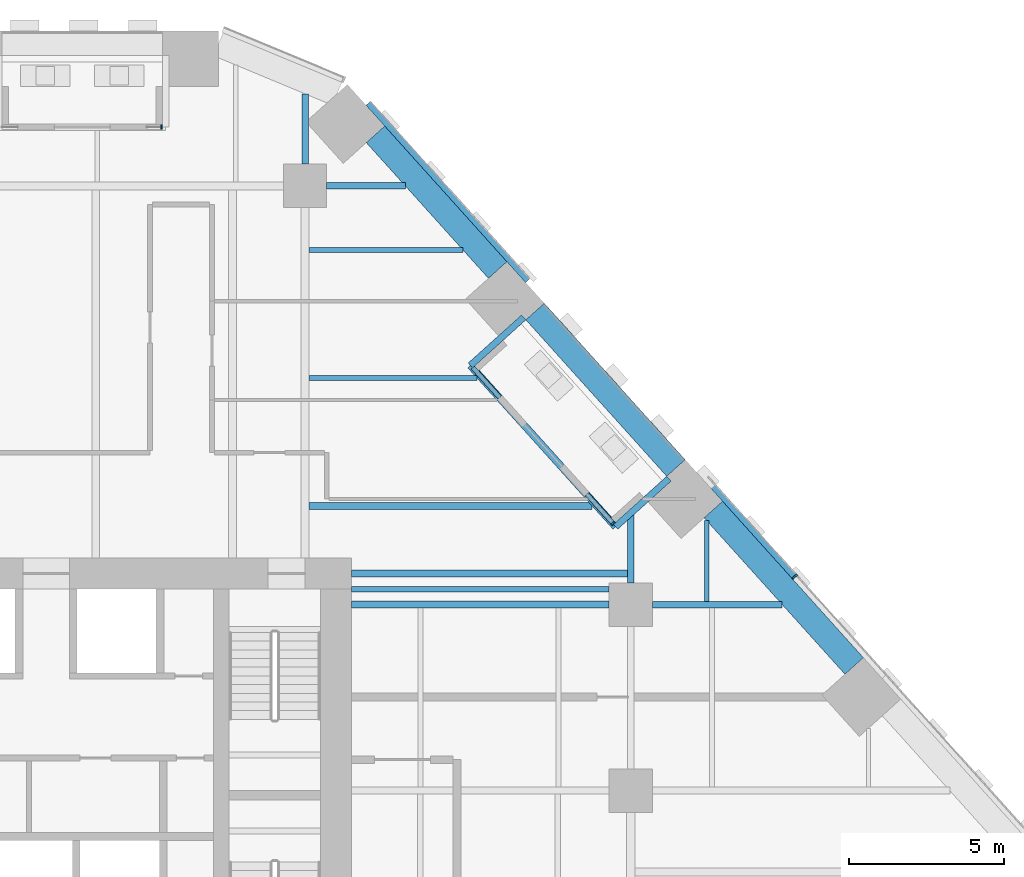
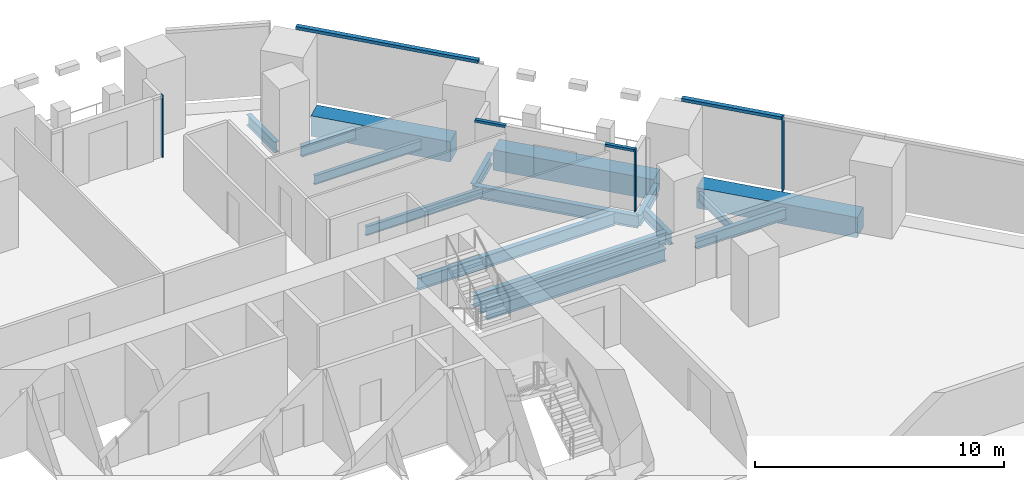
# One storey, part 11 of 31: 17 beams, 7 members, 3 elements without a shape of their own.
"""IFC4 building model written with IfcOpenShell, lengths in metres."""

from ifc_helpers import new_model, si_unit, direction, frame, origin, origin_2d, place, context, subcontext, project, spatial, rectangle, i_section, extrude, material, layer, layer_set, material_profile, profile_set, type_object, element, aggregate, save


model = new_model("IFC4")

# Units and contexts
model_context = context("Model", 3, precision=1e-05, world=origin(), true_north=direction((0.0, 1.0)))
body_context = subcontext(model_context, "Body", "Model", "MODEL_VIEW")
ifc_project = project(units=[si_unit("LENGTHUNIT", "METRE"), si_unit("AREAUNIT", "SQUARE_METRE"), si_unit("VOLUMEUNIT", "CUBIC_METRE"), si_unit("PLANEANGLEUNIT", "RADIAN"), si_unit("MASSUNIT", "GRAM", prefix="KILO")], contexts=[model_context])

# Site, building, storey
site_placement = place(None, origin())
site = spatial("IfcSite", under=ifc_project, at=site_placement, CompositionType="ELEMENT")
building_placement = place(site_placement, origin())
building = spatial("IfcBuilding", under=site, at=building_placement, Name="Isthmus Gate Tower", CompositionType="ELEMENT")
storey_placement = place(building_placement, frame((0.0, 0.0, 39.64990234375)))
storey = spatial("IfcBuildingStorey", under=building, at=storey_placement, Name="L07", CompositionType="ELEMENT", Elevation=39.64990234375)

# Curtain wall, members
ifc_material_1 = material(Name="Aluminium, pale champagne anodised", Category="aluminium")
ifc_layer_1 = layer(ifc_material_1, 0.199951171875)
ifc_layer_set_1 = layer_set([ifc_layer_1], Name="CW-1 UNITISED CURTAIN WALL 200 DEEP")
curtain_wall_type_1 = type_object("IfcCurtainWallType", Name="CW-1 UNITISED CURTAIN WALL 200 DEEP", PredefinedType="NOTDEFINED", material=ifc_layer_set_1)
curtain_wall_1_placement = place(storey_placement, origin())
curtain_wall_1 = element("IfcCurtainWall", 1, at=curtain_wall_1_placement, inside=storey, type_object=curtain_wall_type_1, Name="CW-1 NE L07", PredefinedType="NOTDEFINED")
ifc_material_2 = material(Name="Aluminium, pale champagne anodised", Category="aluminium")
ifc_material_profile_1 = material_profile(ifc_material_2, rectangle(XDim=0.06005859375, YDim=0.199951171875, at=origin_2d()), Name="60x200")
ifc_profile_set_1 = profile_set([ifc_material_profile_1], Name="Aluminium, pale champagne anodised")
member_type_1 = type_object("IfcMemberType", Name="CW-1 MULLION 60 X 200", PredefinedType="MULLION", material=ifc_profile_set_1)
member_1_placement = place(storey_placement, frame((29.287841796875, 14.400146484375, 0.0), z_axis=(0.0, 0.0, 1.0), x_axis=(-0.669130606359, 0.743144825477, 0.0)))
member_1 = element("IfcMember", 2, at=member_1_placement, type_object=member_type_1, Name="CW-1 mullion", PredefinedType="MULLION", context=body_context, shape_type="SweptSolid", body=[
    extrude(rectangle(XDim=0.06005859375, YDim=0.199951171875, at=origin_2d()), origin(), (0.0, 0.0, 1.0), 3.650146484375),
])
ifc_material_3 = material(Name="Aluminium, pale champagne anodised", Category="aluminium")
ifc_material_profile_2 = material_profile(ifc_material_3, rectangle(XDim=0.199951171875, YDim=0.14990234375, at=origin_2d()), Name="200x150")
ifc_profile_set_2 = profile_set([ifc_material_profile_2], Name="Aluminium, pale champagne anodised")
member_type_2 = type_object("IfcMemberType", Name="CW-1 TRANSOM 200 X 150", PredefinedType="USERDEFINED", material=ifc_profile_set_2)
member_2_placement = place(storey_placement, frame((29.267822265625, 14.422607421875, 3.5751953125), z_axis=(-0.669123979474, 0.743150792298, 0.0), x_axis=(-0.743150792298, -0.669123979474, 0.0)))
member_2 = element("IfcMember", 3, at=member_2_placement, type_object=member_type_2, Name="CW-1 transom", ObjectType="TRANSOM", PredefinedType="USERDEFINED", context=body_context, shape_type="SweptSolid", body=[
    extrude(rectangle(XDim=0.199951171875, YDim=0.14990234375, at=origin_2d()), origin(), (0.0, 0.0, 1.0), 4.234619140625),
])
member_3_placement = place(storey_placement, frame((20.686767578125, 23.95263671875, 3.5751953125), z_axis=(-0.669115577823, 0.743158356957, 0.0), x_axis=(-0.743158356957, -0.669115577823, 0.0)))
member_3 = element("IfcMember", 4, at=member_3_placement, type_object=member_type_2, Name="CW-1 transom", ObjectType="TRANSOM", PredefinedType="USERDEFINED", context=body_context, shape_type="SweptSolid", body=[
    extrude(rectangle(XDim=0.199951171875, YDim=0.14990234375, at=origin_2d()), origin(), (0.0, 0.0, 1.0), 7.689208984375),
])
aggregate(curtain_wall_1, [member_1, member_2, member_3])

# Curtain wall, member
ifc_material_4 = material(Name="Aluminium, pale champagne anodised", Category="aluminium")
ifc_layer_2 = layer(ifc_material_4, 0.14990234375)
ifc_layer_set_2 = layer_set([ifc_layer_2], Name="CW-6 LOGGIA BACK WALL GLAZING 150 DEEP")
curtain_wall_type_2 = type_object("IfcCurtainWallType", Name="CW-6 LOGGIA BACK WALL GLAZING 150 DEEP", PredefinedType="NOTDEFINED", material=ifc_layer_set_2)
curtain_wall_2_placement = place(storey_placement, origin())
curtain_wall_2 = element("IfcCurtainWall", 5, at=curtain_wall_2_placement, inside=storey, type_object=curtain_wall_type_2, Name="CW-6 N L07", PredefinedType="NOTDEFINED")
ifc_material_5 = material(Name="Aluminium, pale champagne anodised", Category="aluminium")
ifc_material_profile_3 = material_profile(ifc_material_5, rectangle(XDim=0.06005859375, YDim=0.14990234375, at=origin_2d()), Name="60x150")
ifc_profile_set_3 = profile_set([ifc_material_profile_3], Name="Aluminium, pale champagne anodised")
member_type_3 = type_object("IfcMemberType", Name="CW-6 MULLION 60 X 150", PredefinedType="MULLION", material=ifc_profile_set_3)
member_4_placement = place(storey_placement, frame((8.871826171875, 28.89990234375, 0.0), z_axis=(0.0, 0.0, 1.0), x_axis=(-1.0, 0.0, 0.0)))
member_4 = element("IfcMember", 6, at=member_4_placement, type_object=member_type_3, Name="CW-6 mullion", PredefinedType="MULLION", context=body_context, shape_type="SweptSolid", body=[
    extrude(rectangle(XDim=0.06005859375, YDim=0.14990234375, at=origin_2d()), origin(), (0.0, 0.0, 1.0), 3.050048828125),
])
aggregate(curtain_wall_2, [member_4])

# Curtain wall, members
curtain_wall_3_placement = place(storey_placement, origin())
curtain_wall_3 = element("IfcCurtainWall", 7, at=curtain_wall_3_placement, inside=storey, type_object=curtain_wall_type_2, Name="CW-6 NE L07", PredefinedType="NOTDEFINED")
member_5_placement = place(storey_placement, frame((23.433837890625, 16.119384765625, 0.0), z_axis=(0.0, 0.0, 1.0), x_axis=(-0.669130606359, 0.743144825477, 0.0)))
member_5 = element("IfcMember", 8, at=member_5_placement, type_object=member_type_3, Name="CW-6 mullion", PredefinedType="MULLION", context=body_context, shape_type="SweptSolid", body=[
    extrude(rectangle(XDim=0.06005859375, YDim=0.14990234375, at=origin_2d()), origin(), (0.0, 0.0, 1.0), 3.050048828125),
])
ifc_material_6 = material(Name="Aluminium, pale champagne anodised", Category="aluminium")
ifc_material_profile_4 = material_profile(ifc_material_6, rectangle(XDim=0.14990234375, YDim=0.1201171875, at=origin_2d()), Name="150x120")
ifc_profile_set_4 = profile_set([ifc_material_profile_4], Name="Aluminium, pale champagne anodised")
member_type_4 = type_object("IfcMemberType", Name="CW-6 TRANSOM 150 X 120", PredefinedType="USERDEFINED", material=ifc_profile_set_4)
member_6_placement = place(storey_placement, frame((23.413818359375, 16.1416015625, 2.989990234375), z_axis=(-0.669063036432, 0.743205660151, 0.0), x_axis=(-0.743205660151, -0.669063036432, 0.0)))
member_6 = element("IfcMember", 9, at=member_6_placement, type_object=member_type_4, Name="CW-6 transom", ObjectType="TRANSOM", PredefinedType="USERDEFINED", context=body_context, shape_type="SweptSolid", body=[
    extrude(rectangle(XDim=0.14990234375, YDim=0.1201171875, at=origin_2d()), origin(), (0.0, 0.0, 1.0), 1.23486328125),
])
member_7_placement = place(storey_placement, frame((19.77734375, 20.180419921875, 2.989990234375), z_axis=(-0.669183468698, 0.743097224609, 0.0), x_axis=(-0.743097224609, -0.669183468698, 0.0)))
member_7 = element("IfcMember", 10, at=member_7_placement, type_object=member_type_4, Name="CW-6 transom", ObjectType="TRANSOM", PredefinedType="USERDEFINED", context=body_context, shape_type="SweptSolid", body=[
    extrude(rectangle(XDim=0.14990234375, YDim=0.1201171875, at=origin_2d()), origin(), (0.0, 0.0, 1.0), 1.294677734375),
])
aggregate(curtain_wall_3, [member_5, member_6, member_7])

# Beams
ifc_material_7 = material(Name="Concrete f'c 70 MPa", Category="concrete")
ifc_material_profile_5 = material_profile(ifc_material_7, rectangle(XDim=0.800048828125, YDim=1.0, at=origin_2d()), Name="RC 800X1000")
ifc_profile_set_5 = profile_set([ifc_material_profile_5], Name="Concrete f'c 70 MPa")
beam_type_1 = type_object("IfcBeamType", Name="RC SPANDREL 800 X 1000", PredefinedType="SPANDREL", material=ifc_profile_set_5)
beam_1_placement = place(storey_placement, frame((15.772216796875, 28.66357421875, -0.5), z_axis=(0.669141061586, -0.743135411415, 0.0), x_axis=(0.743135411415, 0.669141061586, 0.0)))
element("IfcBeam", 11, at=beam_1_placement, inside=storey, type_object=beam_type_1, Name="str-spandrel-L07-01", PredefinedType="SPANDREL", context=body_context, shape_type="SweptSolid", body=[
    extrude(rectangle(XDim=0.800048828125, YDim=1.0, at=origin_2d()), origin(), (0.0, 0.0, 1.0), 5.889404296875),
])
beam_2_placement = place(storey_placement, frame((20.91748046875, 22.94921875, -0.5), z_axis=(0.669135571547, -0.743140354772, 0.0), x_axis=(0.743140354772, 0.669135571547, 0.0)))
element("IfcBeam", 12, at=beam_2_placement, inside=storey, type_object=beam_type_1, Name="str-spandrel-L07-02", PredefinedType="SPANDREL", context=body_context, shape_type="SweptSolid", body=[
    extrude(rectangle(XDim=0.800048828125, YDim=1.0, at=origin_2d()), origin(), (0.0, 0.0, 1.0), 6.789306640625),
])
beam_3_placement = place(storey_placement, frame((26.664794921875, 16.566162109375, -0.5), z_axis=(0.669117690519, -0.743156454748, 0.0), x_axis=(0.743156454748, 0.669117690519, 0.0)))
element("IfcBeam", 13, at=beam_3_placement, inside=storey, type_object=beam_type_1, Name="str-spandrel-L07-03", PredefinedType="SPANDREL", context=body_context, shape_type="SweptSolid", body=[
    extrude(rectangle(XDim=0.800048828125, YDim=1.0, at=origin_2d()), origin(), (0.0, 0.0, 1.0), 6.78955078125),
])
ifc_material_8 = material(Name="Structural steel ASTM A992 Gr 50", Category="steel")
ifc_material_profile_6 = material_profile(ifc_material_8, i_section(OverallWidth=0.1396484375, OverallDepth=0.4033203125, WebThickness=0.00634765625, FlangeThickness=0.010986328125, at=origin_2d()), Name="W16X31")
ifc_profile_set_6 = profile_set([ifc_material_profile_6], Name="Structural steel ASTM A992 Gr 50")
beam_type_2 = type_object("IfcBeamType", Name="STEEL FLOOR BEAM W16X31", PredefinedType="JOIST", material=ifc_profile_set_6)
beam_4_placement = place(storey_placement, frame((26.448974609375, 13.604736328125, -0.3515625), z_axis=(0.0, 1.0, 0.0), x_axis=(-1.0, 0.0, 0.0)))
element("IfcBeam", 14, at=beam_4_placement, inside=storey, type_object=beam_type_2, Name="str-beam-L07-39-00", PredefinedType="JOIST", context=body_context, shape_type="SweptSolid", body=[
    extrude(i_section(OverallWidth=0.1396484375, OverallDepth=0.4033203125, WebThickness=0.00634765625, FlangeThickness=0.010986328125, at=origin_2d()), origin(), (0.0, 0.0, 1.0), 2.603515625),
])
ifc_material_9 = material(Name="Structural steel ASTM A992 Gr 50", Category="steel")
ifc_material_profile_7 = material_profile(ifc_material_9, i_section(OverallWidth=0.15234375, OverallDepth=0.45068359375, WebThickness=0.0078125, FlangeThickness=0.010986328125, at=origin_2d()), Name="W18X35")
ifc_profile_set_7 = profile_set([ifc_material_profile_7], Name="Structural steel ASTM A992 Gr 50")
beam_type_3 = type_object("IfcBeamType", Name="STEEL FLOOR BEAM W18X35", PredefinedType="JOIST", material=ifc_profile_set_7)
beam_5_placement = place(storey_placement, frame((13.626953125, 20.80712890625, -0.375244140625), z_axis=(1.0, 0.0, 0.0), x_axis=(0.0, 1.0, 0.0)))
element("IfcBeam", 15, at=beam_5_placement, inside=storey, type_object=beam_type_3, Name="str-beam-L07-31-01", PredefinedType="JOIST", context=body_context, shape_type="SweptSolid", body=[
    extrude(i_section(OverallWidth=0.15234375, OverallDepth=0.45068359375, WebThickness=0.0078125, FlangeThickness=0.010986328125, at=origin_2d()), origin(), (0.0, 0.0, 1.0), 5.4130859375),
])
beam_6_placement = place(storey_placement, frame((13.626953125, 24.935791015625, -0.375244140625), z_axis=(1.0, 0.0, 0.0), x_axis=(0.0, 1.0, 0.0)))
element("IfcBeam", 16, at=beam_6_placement, inside=storey, type_object=beam_type_3, Name="str-beam-L07-31-02", PredefinedType="JOIST", context=body_context, shape_type="SweptSolid", body=[
    extrude(i_section(OverallWidth=0.15234375, OverallDepth=0.45068359375, WebThickness=0.0078125, FlangeThickness=0.010986328125, at=origin_2d()), origin(), (0.0, 0.0, 1.0), 4.963623046875),
])
ifc_material_10 = material(Name="Structural steel ASTM A992 Gr 50", Category="steel")
ifc_material_profile_8 = material_profile(ifc_material_10, i_section(OverallWidth=0.177734375, OverallDepth=0.60009765625, WebThickness=0.009521484375, FlangeThickness=0.0126953125, at=origin_2d()), Name="W24X55")
ifc_profile_set_8 = profile_set([ifc_material_profile_8], Name="Structural steel ASTM A992 Gr 50")
beam_type_4 = type_object("IfcBeamType", Name="STEEL FLOOR BEAM W24X55", PredefinedType="JOIST", material=ifc_profile_set_8)
beam_7_placement = place(storey_placement, frame((15.0, 14.0, -0.449951171875), z_axis=(1.0, 0.0, 0.0), x_axis=(0.0, 1.0, 0.0)))
element("IfcBeam", 17, at=beam_7_placement, inside=storey, type_object=beam_type_4, Name="str-beam-L07-34-00", PredefinedType="JOIST", context=body_context, shape_type="SweptSolid", body=[
    extrude(i_section(OverallWidth=0.177734375, OverallDepth=0.60009765625, WebThickness=0.009521484375, FlangeThickness=0.0126953125, at=origin_2d()), origin(), (0.0, 0.0, 1.0), 8.300048828125),
])
ifc_material_11 = material(Name="Structural steel ASTM A992 Gr 50", Category="steel")
ifc_material_profile_9 = material_profile(ifc_material_11, i_section(OverallWidth=0.228515625, OverallDepth=0.603271484375, WebThickness=0.010986328125, FlangeThickness=0.014404296875, at=origin_2d()), Name="W24X68")
ifc_profile_set_9 = profile_set([ifc_material_profile_9], Name="Structural steel ASTM A992 Gr 50")
beam_type_5 = type_object("IfcBeamType", Name="STEEL FLOOR BEAM W24X68", PredefinedType="JOIST", material=ifc_profile_set_9)
beam_8_placement = place(storey_placement, frame((13.626953125, 16.678466796875, -0.451416015625), z_axis=(1.0, 0.0, 0.0), x_axis=(0.0, 1.0, 0.0)))
element("IfcBeam", 18, at=beam_8_placement, inside=storey, type_object=beam_type_5, Name="str-beam-L07-31-00", PredefinedType="JOIST", context=body_context, shape_type="SweptSolid", body=[
    extrude(i_section(OverallWidth=0.228515625, OverallDepth=0.603271484375, WebThickness=0.010986328125, FlangeThickness=0.014404296875, at=origin_2d()), origin(), (0.0, 0.0, 1.0), 9.13037109375),
])
ifc_material_12 = material(Name="Structural steel ASTM A992 Gr 50", Category="steel")
ifc_material_profile_10 = material_profile(ifc_material_12, i_section(OverallWidth=0.20947265625, OverallDepth=0.533447265625, WebThickness=0.009521484375, FlangeThickness=0.015869140625, at=origin_2d()), Name="W21X62")
ifc_profile_set_10 = profile_set([ifc_material_profile_10], Name="Structural steel ASTM A992 Gr 50")
beam_type_6 = type_object("IfcBeamType", Name="STEEL GIRDER W21X62", PredefinedType="BEAM", material=ifc_profile_set_10)
beam_9_placement = place(storey_placement, frame((24.699951171875, 13.5, -0.41650390625), z_axis=(1.0, 0.0, 0.0), x_axis=(0.0, 1.0, 0.0)))
element("IfcBeam", 19, at=beam_9_placement, inside=storey, type_object=beam_type_6, Name="str-girder-L07-15", PredefinedType="BEAM", context=body_context, shape_type="SweptSolid", body=[
    extrude(i_section(OverallWidth=0.20947265625, OverallDepth=0.533447265625, WebThickness=0.009521484375, FlangeThickness=0.015869140625, at=origin_2d()), origin(), (0.0, 0.0, 1.0), 4.187255859375),
])
beam_10_placement = place(storey_placement, frame((14.199951171875, 27.0, -0.41650390625), z_axis=(1.0, 0.0, 0.0), x_axis=(0.0, 1.0, 0.0)))
element("IfcBeam", 20, at=beam_10_placement, inside=storey, type_object=beam_type_6, Name="str-girder-L07-19", PredefinedType="BEAM", context=body_context, shape_type="SweptSolid", body=[
    extrude(i_section(OverallWidth=0.20947265625, OverallDepth=0.533447265625, WebThickness=0.009521484375, FlangeThickness=0.015869140625, at=origin_2d()), origin(), (0.0, 0.0, 1.0), 2.531982421875),
])
beam_11_placement = place(storey_placement, frame((13.5, 27.699951171875, -0.41650390625), z_axis=(0.0, 1.0, 0.0), x_axis=(-1.0, 0.0, 0.0)))
element("IfcBeam", 21, at=beam_11_placement, inside=storey, type_object=beam_type_6, Name="str-girder-L07-34", PredefinedType="BEAM", context=body_context, shape_type="SweptSolid", body=[
    extrude(i_section(OverallWidth=0.20947265625, OverallDepth=0.533447265625, WebThickness=0.009521484375, FlangeThickness=0.015869140625, at=origin_2d()), origin(), (0.0, 0.0, 1.0), 2.27001953125),
])
beam_12_placement = place(storey_placement, frame((24.0, 14.199951171875, -0.41650390625), z_axis=(0.0, 1.0, 0.0), x_axis=(-1.0, 0.0, 0.0)))
element("IfcBeam", 22, at=beam_12_placement, inside=storey, type_object=beam_type_6, Name="str-girder-L07-37", PredefinedType="BEAM", context=body_context, shape_type="SweptSolid", body=[
    extrude(i_section(OverallWidth=0.20947265625, OverallDepth=0.533447265625, WebThickness=0.009521484375, FlangeThickness=0.015869140625, at=origin_2d()), origin(), (0.0, 0.0, 1.0), 2.388916015625),
])
ifc_material_13 = material(Name="Structural steel ASTM A992 Gr 50", Category="steel")
ifc_material_profile_11 = material_profile(ifc_material_13, i_section(OverallWidth=0.228515625, OverallDepth=0.6064453125, WebThickness=0.010986328125, FlangeThickness=0.017578125, at=origin_2d()), Name="W24X76")
ifc_profile_set_11 = profile_set([ifc_material_profile_11], Name="Structural steel ASTM A992 Gr 50")
beam_type_7 = type_object("IfcBeamType", Name="STEEL GIRDER W24X76", PredefinedType="BEAM", material=ifc_profile_set_11)
beam_13_placement = place(storey_placement, frame((15.0, 13.5, -0.453125), z_axis=(1.0, 0.0, 0.0), x_axis=(0.0, 1.0, 0.0)))
element("IfcBeam", 23, at=beam_13_placement, inside=storey, type_object=beam_type_7, Name="str-girder-L07-14", PredefinedType="BEAM", context=body_context, shape_type="SweptSolid", body=[
    extrude(i_section(OverallWidth=0.228515625, OverallDepth=0.6064453125, WebThickness=0.010986328125, FlangeThickness=0.017578125, at=origin_2d()), origin(), (0.0, 0.0, 1.0), 8.300048828125),
])
beam_14_placement = place(storey_placement, frame((15.0, 14.5, -0.453125), z_axis=(1.0, 0.0, 0.0), x_axis=(0.0, 1.0, 0.0)))
element("IfcBeam", 24, at=beam_14_placement, inside=storey, type_object=beam_type_7, Name="str-girder-L07-41", PredefinedType="BEAM", context=body_context, shape_type="SweptSolid", body=[
    extrude(i_section(OverallWidth=0.228515625, OverallDepth=0.6064453125, WebThickness=0.010986328125, FlangeThickness=0.017578125, at=origin_2d()), origin(), (0.0, 0.0, 1.0), 8.895263671875),
])
ifc_material_14 = material(Name="Structural steel ASTM A992 Gr 50", Category="steel")
ifc_material_profile_12 = material_profile(ifc_material_14, i_section(OverallWidth=0.20947265625, OverallDepth=0.533447265625, WebThickness=0.009521484375, FlangeThickness=0.015869140625, at=origin_2d()), Name="W21X62")
ifc_profile_set_12 = profile_set([ifc_material_profile_12], Name="Structural steel ASTM A992 Gr 50")
beam_type_8 = type_object("IfcBeamType", Name="STEEL TRIMMER W21X62", PredefinedType="BEAM", material=ifc_profile_set_12)
for number, where, z_axis, x_axis, name in (
    (25, (25.233154296875, 17.558349609375, -0.41650390625), (-0.74311576701, -0.669162877647, 0.0), (0.669162877647, -0.74311576701, 0.0), "str-loggiatrim-L07-06-A"),
    (26, (20.550048828125, 22.759521484375, -0.41650390625), (-0.74311576701, -0.669162877647, 0.0), (0.669162877647, -0.74311576701, 0.0), "str-loggiatrim-L07-06-C"),
):
    element("IfcBeam", number, at=place(storey_placement, frame(where, z_axis=z_axis, x_axis=x_axis)), inside=storey, type_object=beam_type_8, Name=name, PredefinedType="BEAM", context=body_context, shape_type="SweptSolid", body=[
        extrude(i_section(OverallWidth=0.20947265625, OverallDepth=0.533447265625, WebThickness=0.009521484375, FlangeThickness=0.015869140625, at=origin_2d()), origin(), (0.0, 0.0, 1.0), 2.314208984375),
    ])
ifc_material_15 = material(Name="Structural steel ASTM A992 Gr 50", Category="steel")
ifc_material_profile_13 = material_profile(ifc_material_15, i_section(OverallWidth=0.228515625, OverallDepth=0.603271484375, WebThickness=0.010986328125, FlangeThickness=0.014404296875, at=origin_2d()), Name="W24X68")
ifc_profile_set_13 = profile_set([ifc_material_profile_13], Name="Structural steel ASTM A992 Gr 50")
beam_type_9 = type_object("IfcBeamType", Name="STEEL TRIMMER W24X68", PredefinedType="BEAM", material=ifc_profile_set_13)
beam_15_placement = place(storey_placement, frame((23.513427734375, 16.009765625, -0.451416015625), z_axis=(-0.669126603929, 0.743148429262, 0.0), x_axis=(-0.743148429262, -0.669126603929, 0.0)))
element("IfcBeam", 27, at=beam_15_placement, inside=storey, type_object=beam_type_9, Name="str-loggiatrim-L07-06-B", PredefinedType="BEAM", context=body_context, shape_type="SweptSolid", body=[
    extrude(i_section(OverallWidth=0.228515625, OverallDepth=0.603271484375, WebThickness=0.010986328125, FlangeThickness=0.014404296875, at=origin_2d()), origin(), (0.0, 0.0, 1.0), 6.998779296875),
])

save(model, "model.ifc")
